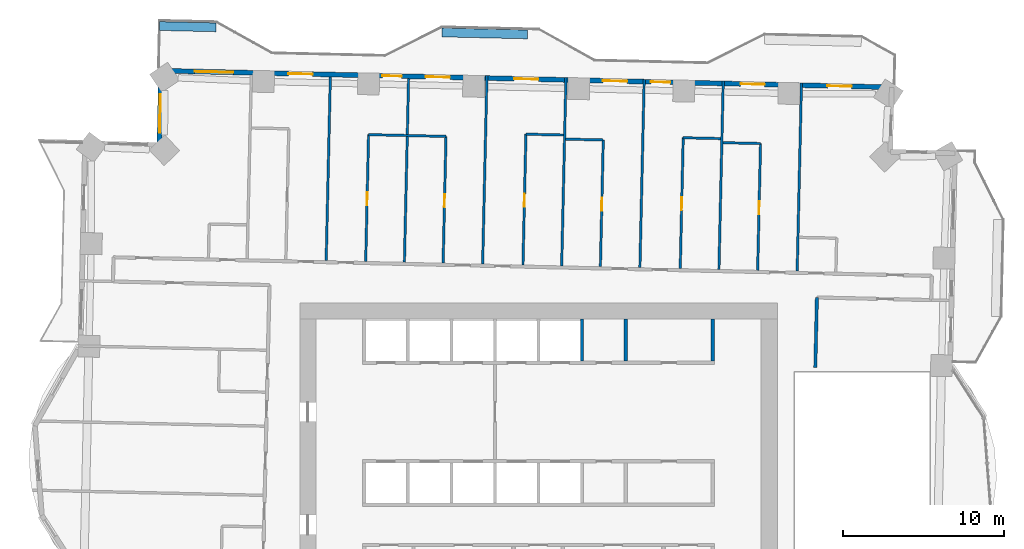
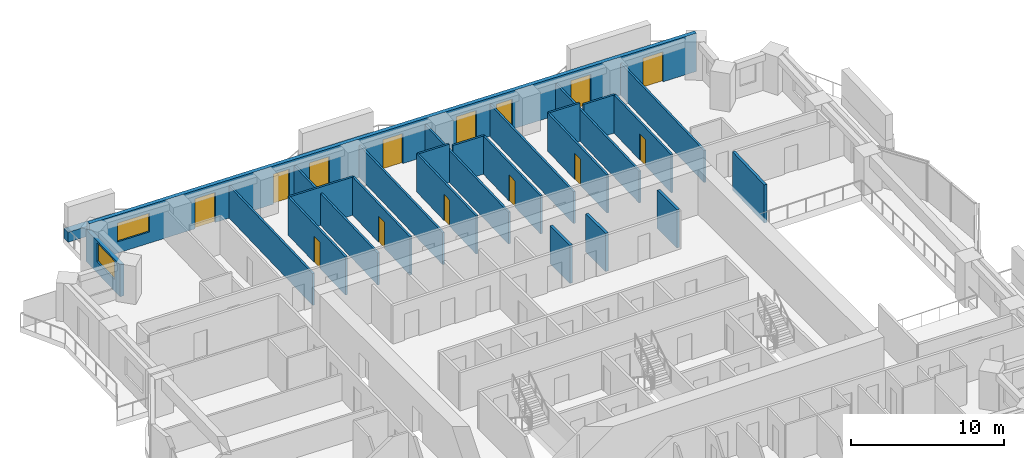
# One storey, part 11 of 16: 26 walls, 14 doors, 2 windows, 16 openings.
"""IFC4 building model written with IfcOpenShell, lengths in metres."""

from ifc_helpers import new_model, si_unit, direction, frame, frame_2d, origin, place, context, subcontext, project, spatial, rectangle, extrude, material, layer, layer_set, type_object, element, fill, save


model = new_model("IFC4")

# Units and contexts
model_context = context("Model", 3, precision=1e-05, world=origin(), true_north=direction((0.0, 1.0)))
body_context = subcontext(model_context, "Body", "Model", "MODEL_VIEW")
ifc_project = project(units=[si_unit("LENGTHUNIT", "METRE"), si_unit("AREAUNIT", "SQUARE_METRE"), si_unit("VOLUMEUNIT", "CUBIC_METRE"), si_unit("PLANEANGLEUNIT", "RADIAN"), si_unit("MASSUNIT", "GRAM", prefix="KILO")], contexts=[model_context])

# Site, building, storey
site_placement = place(None, origin())
site = spatial("IfcSite", under=ifc_project, at=site_placement, CompositionType="ELEMENT")
building_placement = place(site_placement, origin())
building = spatial("IfcBuilding", under=site, at=building_placement, Name="Mangrove Gate Tower", CompositionType="ELEMENT")
storey_placement = place(building_placement, frame((0.0, 0.0, 112.699951171875)))
storey = spatial("IfcBuildingStorey", under=building, at=storey_placement, Name="L28", CompositionType="ELEMENT", Elevation=112.699951171875)

# Walls
ifc_material_1 = material(Name="Concrete C32/40", Category="concrete")
ifc_layer_1 = layer(ifc_material_1, 0.199951171875)
ifc_layer_set_1 = layer_set([ifc_layer_1], Name="Core room wall 200 C32/40")
wall_type_1 = type_object("IfcWallType", Name="Core room wall 200 C32/40", PredefinedType="STANDARD", material=ifc_layer_set_1)
for number, where, z_axis, x_axis, name in (
    (1, (5.39990234375, 8.199951171875, 0.0), (0.0, 0.0, 1.0), (0.0, 1.0, 0.0), "WALL-L28-CORE-33"),
    (2, (10.800048828125, 8.199951171875, 0.0), (0.0, 0.0, 1.0), (0.0, 1.0, 0.0), "WALL-L28-CORE-34"),
):
    element("IfcWall", number, at=place(storey_placement, frame(where, z_axis=z_axis, x_axis=x_axis)), inside=storey, type_object=wall_type_1, Name=name, PredefinedType="STANDARD", context=body_context, shape_type="SweptSolid", body=[
        extrude(rectangle(XDim=2.60009765625, YDim=0.199951171875, at=frame_2d((1.300048828125, 0.0))), origin(), (0.0, 0.0, 1.0), 3.050048828125),
    ])
ifc_material_2 = material(Name="Concrete C70/85", Category="concrete")
ifc_layer_2 = layer(ifc_material_2, 0.199951171875)
ifc_layer_set_2 = layer_set([ifc_layer_2], Name="Core shaft wall 200 C70/85")
wall_type_2 = type_object("IfcWallType", Name="Core shaft wall 200 C70/85", PredefinedType="SHEAR", material=ifc_layer_set_2)
wall_1_placement = place(storey_placement, frame((2.699951171875, 8.199951171875, 0.0), z_axis=(0.0, 0.0, 1.0), x_axis=(0.0, 1.0, 0.0)))
element("IfcWall", 3, at=wall_1_placement, inside=storey, type_object=wall_type_2, Name="WALL-L28-CORE-32", PredefinedType="SHEAR", context=body_context, shape_type="SweptSolid", body=[
    extrude(rectangle(XDim=2.60009765625, YDim=0.199951171875, at=frame_2d((1.300048828125, 0.0))), origin(), (0.0, 0.0, 1.0), 3.050048828125),
])
ifc_material_3 = material(Name="Gypsum board on steel stud, EI 60", Category="steel")
ifc_layer_3 = layer(ifc_material_3, 0.199951171875)
ifc_layer_set_3 = layer_set([ifc_layer_3], Name="Corridor wall EI 60")
wall_type_3 = type_object("IfcWallType", Name="Corridor wall EI 60", PredefinedType="PARTITIONING", material=ifc_layer_set_3)
wall_2_placement = place(storey_placement, frame((17.155029296875, 7.81396484375, 0.0), z_axis=(0.0, 0.0, 1.0), x_axis=(0.022578158225, 0.999745080894, 0.0)))
element("IfcWall", 4, at=wall_2_placement, inside=storey, type_object=wall_type_3, Name="WALL-L28-043", PredefinedType="PARTITIONING", context=body_context, shape_type="SweptSolid", body=[
    extrude(rectangle(XDim=4.336181640625, YDim=0.199951171875, at=frame_2d((2.16796875, 0.0))), origin(), (0.0, 0.0, 1.0), 3.050048828125),
])

# Wall, openings, doors, window
ifc_material_4 = material(Name="Limestone", Category="masonry")
ifc_layer_4 = layer(ifc_material_4, 0.0400390625, Name="Limestone cladding")
ifc_material_5 = material(Name="Ventilated air gap")
ifc_layer_5 = layer(ifc_material_5, 0.0400390625, Name="Ventilated cavity")
ifc_material_6 = material(Name="Mineral wool insulation")
ifc_layer_6 = layer(ifc_material_6, 0.06005859375, Name="Insulation")
ifc_material_7 = material(Name="Breather membrane")
ifc_layer_7 = layer(ifc_material_7, 0.001953125, Name="Breather membrane")
ifc_material_8 = material(Name="Concrete C20/25 blockwork", Category="masonry")
ifc_layer_8 = layer(ifc_material_8, 0.14990234375, Name="Blockwork backing wall")
ifc_material_9 = material(Name="Gypsum plaster")
ifc_layer_9 = layer(ifc_material_9, 0.008056640625, Name="Internal plaster")
ifc_layer_set_4 = layer_set([ifc_layer_4, ifc_layer_5, ifc_layer_6, ifc_layer_7, ifc_layer_8, ifc_layer_9], Name="External wall 300 limestone cladding")
wall_type_4 = type_object("IfcWallType", Name="External wall 300 limestone cladding", PredefinedType="SOLIDWALL", material=ifc_layer_set_4)
wall_3_placement = place(storey_placement, frame((21.89404296875, 25.173095703125, 0.0), z_axis=(0.0, 0.0, 1.0), x_axis=(-0.999742661083, 0.022685052594, 0.0)))
wall_3 = element("IfcWall", 5, at=wall_3_placement, inside=storey, type_object=wall_type_4, Name="WALL-L28-N5", PredefinedType="SOLIDWALL", context=body_context, shape_type="SweptSolid", body=[
    extrude(rectangle(XDim=45.308837890625, YDim=0.300048828125, at=frame_2d((22.654296875, 0.0))), origin(), (0.0, 0.0, 1.0), 3.050048828125),
])
opening_1_placement = place(wall_3_placement, frame((2.4951171875, 0.0, 0.0)))
opening_1 = element("IfcOpeningElement", 6, at=opening_1_placement, cuts=wall_3, Name="Opening BD1", PredefinedType="OPENING", context=body_context, shape_type="SweptSolid", body=[
    extrude(rectangle(XDim=1.5, YDim=2.39990234375, at=frame_2d((0.75, 1.199951171875))), frame((0.0, 0.159912109375, 0.0), z_axis=(0.0, -1.0, 0.0), x_axis=(1.0, 0.0, 0.0)), (0.0, 0.0, 1.0), 0.320068359375),
])
opening_2_placement = place(wall_3_placement, frame((7.8740234375, 0.0, 0.0)))
opening_2 = element("IfcOpeningElement", 7, at=opening_2_placement, cuts=wall_3, Name="Opening BD1", PredefinedType="OPENING", context=body_context, shape_type="SweptSolid", body=[
    extrude(rectangle(XDim=1.5, YDim=2.39990234375, at=frame_2d((0.75, 1.199951171875))), frame((0.0, 0.159912109375, 0.0), z_axis=(0.0, -1.0, 0.0), x_axis=(1.0, 0.0, 0.0)), (0.0, 0.0, 1.0), 0.320068359375),
])
opening_3_placement = place(wall_3_placement, frame((13.73193359375, 0.0, 0.0)))
opening_3 = element("IfcOpeningElement", 8, at=opening_3_placement, cuts=wall_3, Name="Opening BD2", PredefinedType="OPENING", context=body_context, shape_type="SweptSolid", body=[
    extrude(rectangle(XDim=1.199951171875, YDim=2.39990234375, at=frame_2d((0.60009765625, 1.199951171875))), frame((0.0, 0.159912109375, 0.0), z_axis=(0.0, -1.0, 0.0), x_axis=(1.0, 0.0, 0.0)), (0.0, 0.0, 1.0), 0.320068359375),
])
opening_4_placement = place(wall_3_placement, frame((16.4150390625, 0.0, 0.0)))
opening_4 = element("IfcOpeningElement", 9, at=opening_4_placement, cuts=wall_3, Name="Opening BD1", PredefinedType="OPENING", context=body_context, shape_type="SweptSolid", body=[
    extrude(rectangle(XDim=1.5, YDim=2.39990234375, at=frame_2d((0.75, 1.199951171875))), frame((0.0, 0.159912109375, 0.0), z_axis=(0.0, -1.0, 0.0), x_axis=(1.0, 0.0, 0.0)), (0.0, 0.0, 1.0), 0.320068359375),
])
opening_5_placement = place(wall_3_placement, frame((21.907958984375, 0.0, 0.0)))
opening_5 = element("IfcOpeningElement", 10, at=opening_5_placement, cuts=wall_3, Name="Opening BD1", PredefinedType="OPENING", context=body_context, shape_type="SweptSolid", body=[
    extrude(rectangle(XDim=1.5, YDim=2.39990234375, at=frame_2d((0.75, 1.199951171875))), frame((0.0, 0.159912109375, 0.0), z_axis=(0.0, -1.0, 0.0), x_axis=(1.0, 0.0, 0.0)), (0.0, 0.0, 1.0), 0.320068359375),
])
opening_6_placement = place(wall_3_placement, frame((27.39697265625, 0.0, 0.0)))
opening_6 = element("IfcOpeningElement", 11, at=opening_6_placement, cuts=wall_3, Name="Opening BD1", PredefinedType="OPENING", context=body_context, shape_type="SweptSolid", body=[
    extrude(rectangle(XDim=1.5, YDim=2.39990234375, at=frame_2d((0.75, 1.199951171875))), frame((0.0, 0.159912109375, 0.0), z_axis=(0.0, -1.0, 0.0), x_axis=(1.0, 0.0, 0.0)), (0.0, 0.0, 1.0), 0.320068359375),
])
opening_7_placement = place(wall_3_placement, frame((30.3798828125, 0.0, 0.0)))
opening_7 = element("IfcOpeningElement", 12, at=opening_7_placement, cuts=wall_3, Name="Opening BD2", PredefinedType="OPENING", context=body_context, shape_type="SweptSolid", body=[
    extrude(rectangle(XDim=1.199951171875, YDim=2.39990234375, at=frame_2d((0.60009765625, 1.199951171875))), frame((0.0, 0.159912109375, 0.0), z_axis=(0.0, -1.0, 0.0), x_axis=(1.0, 0.0, 0.0)), (0.0, 0.0, 1.0), 0.320068359375),
])
opening_8_placement = place(wall_3_placement, frame((35.9130859375, 0.0, 0.0)))
opening_8 = element("IfcOpeningElement", 13, at=opening_8_placement, cuts=wall_3, Name="Opening BD1", PredefinedType="OPENING", context=body_context, shape_type="SweptSolid", body=[
    extrude(rectangle(XDim=1.5, YDim=2.39990234375, at=frame_2d((0.75, 1.199951171875))), frame((0.0, 0.159912109375, 0.0), z_axis=(0.0, -1.0, 0.0), x_axis=(1.0, 0.0, 0.0)), (0.0, 0.0, 1.0), 0.320068359375),
])
opening_9_placement = place(wall_3_placement, frame((40.818115234375, 0.0, 0.89990234375)))
opening_9 = element("IfcOpeningElement", 14, at=opening_9_placement, cuts=wall_3, Name="Opening W2", PredefinedType="OPENING", context=body_context, shape_type="SweptSolid", body=[
    extrude(rectangle(XDim=2.39990234375, YDim=1.5, at=frame_2d((1.199951171875, 0.75))), frame((0.0, 0.159912109375, 0.0), z_axis=(0.0, -1.0, 0.0), x_axis=(1.0, 0.0, 0.0)), (0.0, 0.0, 1.0), 0.320068359375),
])
ifc_material_10 = material(Name="Aluminium frame with laminated clear glass", Category="aluminium")
door_type_1 = type_object("IfcDoorType", Name="Balcony sliding door 1200x2400", OperationType="SLIDING_TO_LEFT", PredefinedType="DOOR", material=ifc_material_10)
door_1_placement = place(opening_3_placement, origin())
door_1 = element("IfcDoor", 15, at=door_1_placement, inside=storey, type_object=door_type_1, Name="DOOR-L28-N5-3", OperationType="SLIDING_TO_LEFT", OverallHeight=2.39990234375, OverallWidth=1.199951171875, PredefinedType="DOOR", context=body_context, shape_type="SweptSolid", body=[
    extrude(rectangle(XDim=1.199951171875, YDim=2.39990234375, at=frame_2d((0.60009765625, 1.199951171875))), frame((0.0, 0.02490234375, 0.0), z_axis=(0.0, -1.0, 0.0), x_axis=(1.0, 0.0, 0.0)), (0.0, 0.0, 1.0), 0.050048828125),
])
fill(opening_3, door_1)
door_2_placement = place(opening_7_placement, origin())
door_2 = element("IfcDoor", 16, at=door_2_placement, inside=storey, type_object=door_type_1, Name="DOOR-L28-N5-7", OperationType="SLIDING_TO_LEFT", OverallHeight=2.39990234375, OverallWidth=1.199951171875, PredefinedType="DOOR", context=body_context, shape_type="SweptSolid", body=[
    extrude(rectangle(XDim=1.199951171875, YDim=2.39990234375, at=frame_2d((0.60009765625, 1.199951171875))), frame((0.0, 0.02490234375, 0.0), z_axis=(0.0, -1.0, 0.0), x_axis=(1.0, 0.0, 0.0)), (0.0, 0.0, 1.0), 0.050048828125),
])
fill(opening_7, door_2)
ifc_material_11 = material(Name="Aluminium frame with laminated clear glass", Category="aluminium")
door_type_2 = type_object("IfcDoorType", Name="Balcony sliding door 1500x2400", OperationType="SLIDING_TO_LEFT", PredefinedType="DOOR", material=ifc_material_11)
door_3_placement = place(opening_1_placement, origin())
door_3 = element("IfcDoor", 17, at=door_3_placement, inside=storey, type_object=door_type_2, Name="DOOR-L28-N5-1", OperationType="SLIDING_TO_LEFT", OverallHeight=2.39990234375, OverallWidth=1.5, PredefinedType="DOOR", context=body_context, shape_type="SweptSolid", body=[
    extrude(rectangle(XDim=1.5, YDim=2.39990234375, at=frame_2d((0.75, 1.199951171875))), frame((0.0, 0.02490234375, 0.0), z_axis=(0.0, -1.0, 0.0), x_axis=(1.0, 0.0, 0.0)), (0.0, 0.0, 1.0), 0.050048828125),
])
fill(opening_1, door_3)
door_4_placement = place(opening_2_placement, origin())
door_4 = element("IfcDoor", 18, at=door_4_placement, inside=storey, type_object=door_type_2, Name="DOOR-L28-N5-2", OperationType="SLIDING_TO_LEFT", OverallHeight=2.39990234375, OverallWidth=1.5, PredefinedType="DOOR", context=body_context, shape_type="SweptSolid", body=[
    extrude(rectangle(XDim=1.5, YDim=2.39990234375, at=frame_2d((0.75, 1.199951171875))), frame((0.0, 0.02490234375, 0.0), z_axis=(0.0, -1.0, 0.0), x_axis=(1.0, 0.0, 0.0)), (0.0, 0.0, 1.0), 0.050048828125),
])
fill(opening_2, door_4)
door_5_placement = place(opening_4_placement, origin())
door_5 = element("IfcDoor", 19, at=door_5_placement, inside=storey, type_object=door_type_2, Name="DOOR-L28-N5-4", OperationType="SLIDING_TO_LEFT", OverallHeight=2.39990234375, OverallWidth=1.5, PredefinedType="DOOR", context=body_context, shape_type="SweptSolid", body=[
    extrude(rectangle(XDim=1.5, YDim=2.39990234375, at=frame_2d((0.75, 1.199951171875))), frame((0.0, 0.02490234375, 0.0), z_axis=(0.0, -1.0, 0.0), x_axis=(1.0, 0.0, 0.0)), (0.0, 0.0, 1.0), 0.050048828125),
])
fill(opening_4, door_5)
door_6_placement = place(opening_5_placement, origin())
door_6 = element("IfcDoor", 20, at=door_6_placement, inside=storey, type_object=door_type_2, Name="DOOR-L28-N5-5", OperationType="SLIDING_TO_LEFT", OverallHeight=2.39990234375, OverallWidth=1.5, PredefinedType="DOOR", context=body_context, shape_type="SweptSolid", body=[
    extrude(rectangle(XDim=1.5, YDim=2.39990234375, at=frame_2d((0.75, 1.199951171875))), frame((0.0, 0.02490234375, 0.0), z_axis=(0.0, -1.0, 0.0), x_axis=(1.0, 0.0, 0.0)), (0.0, 0.0, 1.0), 0.050048828125),
])
fill(opening_5, door_6)
door_7_placement = place(opening_6_placement, origin())
door_7 = element("IfcDoor", 21, at=door_7_placement, inside=storey, type_object=door_type_2, Name="DOOR-L28-N5-6", OperationType="SLIDING_TO_LEFT", OverallHeight=2.39990234375, OverallWidth=1.5, PredefinedType="DOOR", context=body_context, shape_type="SweptSolid", body=[
    extrude(rectangle(XDim=1.5, YDim=2.39990234375, at=frame_2d((0.75, 1.199951171875))), frame((0.0, 0.02490234375, 0.0), z_axis=(0.0, -1.0, 0.0), x_axis=(1.0, 0.0, 0.0)), (0.0, 0.0, 1.0), 0.050048828125),
])
fill(opening_6, door_7)
door_8_placement = place(opening_8_placement, origin())
door_8 = element("IfcDoor", 22, at=door_8_placement, inside=storey, type_object=door_type_2, Name="DOOR-L28-N5-8", OperationType="SLIDING_TO_LEFT", OverallHeight=2.39990234375, OverallWidth=1.5, PredefinedType="DOOR", context=body_context, shape_type="SweptSolid", body=[
    extrude(rectangle(XDim=1.5, YDim=2.39990234375, at=frame_2d((0.75, 1.199951171875))), frame((0.0, 0.02490234375, 0.0), z_axis=(0.0, -1.0, 0.0), x_axis=(1.0, 0.0, 0.0)), (0.0, 0.0, 1.0), 0.050048828125),
])
fill(opening_8, door_8)
ifc_material_12 = material(Name="Aluminium frame with double-glazed low-e glass", Category="aluminium")
window_type = type_object("IfcWindowType", Name="Corner room window 2400x1500", PartitioningType="DOUBLE_PANEL_VERTICAL", PredefinedType="WINDOW", material=ifc_material_12)
window_1_placement = place(opening_9_placement, origin())
window_1 = element("IfcWindow", 23, at=window_1_placement, inside=storey, type_object=window_type, Name="WIN-L28-N5-9", OverallHeight=1.5, OverallWidth=2.39990234375, PartitioningType="DOUBLE_PANEL_VERTICAL", PredefinedType="WINDOW", context=body_context, shape_type="SweptSolid", body=[
    extrude(rectangle(XDim=2.39990234375, YDim=1.5, at=frame_2d((1.199951171875, 0.75))), frame((0.0, 0.030029296875, 0.0), z_axis=(0.0, -1.0, 0.0), x_axis=(1.0, 0.0, 0.0)), (0.0, 0.0, 1.0), 0.06005859375),
])
fill(opening_9, window_1)

# Wall, opening, window
wall_4_placement = place(storey_placement, frame((-23.403076171875, 26.200927734375, 0.0), z_axis=(0.0, 0.0, 1.0), x_axis=(-0.022609285172, -0.999744377441, 0.0)))
wall_4 = element("IfcWall", 24, at=wall_4_placement, inside=storey, type_object=wall_type_4, Name="WALL-L28-W6", PredefinedType="SOLIDWALL", context=body_context, shape_type="SweptSolid", body=[
    extrude(rectangle(XDim=4.60009765625, YDim=0.300048828125, at=frame_2d((2.300048828125, 0.0))), origin(), (0.0, 0.0, 1.0), 2.550048828125),
])
opening_10_placement = place(wall_4_placement, frame((1.45703125, 0.0, 0.89990234375)))
opening_10 = element("IfcOpeningElement", 25, at=opening_10_placement, cuts=wall_4, Name="Opening W2", PredefinedType="OPENING", context=body_context, shape_type="SweptSolid", body=[
    extrude(rectangle(XDim=2.39990234375, YDim=1.5, at=frame_2d((1.199951171875, 0.75))), frame((0.0, 0.159912109375, 0.0), z_axis=(0.0, -1.0, 0.0), x_axis=(1.0, 0.0, 0.0)), (0.0, 0.0, 1.0), 0.320068359375),
])
window_2_placement = place(opening_10_placement, origin())
window_2 = element("IfcWindow", 26, at=window_2_placement, inside=storey, type_object=window_type, Name="WIN-L28-W6-1", OverallHeight=1.5, OverallWidth=2.39990234375, PartitioningType="DOUBLE_PANEL_VERTICAL", PredefinedType="WINDOW", context=body_context, shape_type="SweptSolid", body=[
    extrude(rectangle(XDim=2.39990234375, YDim=1.5, at=frame_2d((1.199951171875, 0.75))), frame((0.0, 0.030029296875, 0.0), z_axis=(0.0, -1.0, 0.0), x_axis=(1.0, 0.0, 0.0)), (0.0, 0.0, 1.0), 0.06005859375),
])
fill(opening_10, window_2)

# Wall
ifc_material_13 = material(Name="Gypsum board on steel stud, EI 60", Category="steel")
ifc_layer_10 = layer(ifc_material_13, 0.14990234375)
ifc_layer_set_5 = layer_set([ifc_layer_10], Name="Party wall 150 EI 60")
wall_type_5 = type_object("IfcWallType", Name="Party wall 150 EI 60", PredefinedType="PARTITIONING", material=ifc_layer_set_5)
wall_5_placement = place(storey_placement, frame((-13.1630859375, 14.43994140625, 0.0), z_axis=(0.0, 0.0, 1.0), x_axis=(0.022684355347, 0.999742676904, 0.0)))
element("IfcWall", 27, at=wall_5_placement, inside=storey, type_object=wall_type_5, Name="WALL-L28-055", PredefinedType="PARTITIONING", context=body_context, shape_type="SweptSolid", body=[
    extrude(rectangle(XDim=11.3759765625, YDim=0.14990234375, at=frame_2d((5.68798828125, 0.0))), origin(), (0.0, 0.0, 1.0), 2.550048828125),
])

# Wall, opening, door
wall_6_placement = place(storey_placement, frame((-10.712890625, 14.384033203125, 0.0), z_axis=(0.0, 0.0, 1.0), x_axis=(0.022643791768, 0.999743596476, 0.0)))
wall_6 = element("IfcWall", 28, at=wall_6_placement, inside=storey, type_object=wall_type_5, Name="WALL-L28-056", PredefinedType="PARTITIONING", context=body_context, shape_type="SweptSolid", body=[
    extrude(rectangle(XDim=7.85986328125, YDim=0.14990234375, at=frame_2d((3.929931640625, 0.0))), origin(), (0.0, 0.0, 1.0), 3.050048828125),
])
opening_11_placement = place(wall_6_placement, frame((3.47998046875, 0.0, 0.0)))
opening_11 = element("IfcOpeningElement", 29, at=opening_11_placement, cuts=wall_6, Name="Opening ED", PredefinedType="OPENING", context=body_context, shape_type="SweptSolid", body=[
    extrude(rectangle(XDim=0.800048828125, YDim=2.10009765625, at=frame_2d((0.39990234375, 1.050048828125))), frame((0.0, 0.0849609375, 0.0), z_axis=(0.0, -1.0, 0.0), x_axis=(1.0, 0.0, 0.0)), (0.0, 0.0, 1.0), 0.169921875),
])
ifc_material_14 = material(Name="Timber door leaf", Category="wood")
door_type_3 = type_object("IfcDoorType", Name="En-suite door 800", OperationType="SINGLE_SWING_LEFT", PredefinedType="DOOR", material=ifc_material_14)
door_9_placement = place(opening_11_placement, origin())
door_9 = element("IfcDoor", 30, at=door_9_placement, inside=storey, type_object=door_type_3, Name="DOOR-L28-ENS-c514", OperationType="SINGLE_SWING_RIGHT", OverallHeight=2.10009765625, OverallWidth=0.800048828125, PredefinedType="DOOR", context=body_context, shape_type="SweptSolid", body=[
    extrude(rectangle(XDim=0.800048828125, YDim=2.10009765625, at=frame_2d((0.39990234375, 1.050048828125))), frame((0.0, 0.02490234375, 0.0), z_axis=(0.0, -1.0, 0.0), x_axis=(1.0, 0.0, 0.0)), (0.0, 0.0, 1.0), 0.050048828125),
])
fill(opening_11, door_9)

# Wall
wall_7_placement = place(storey_placement, frame((-8.31396484375, 14.330078125, 0.0), z_axis=(0.0, 0.0, 1.0), x_axis=(0.022684842063, 0.99974266586, 0.0)))
element("IfcWall", 31, at=wall_7_placement, inside=storey, type_object=wall_type_5, Name="WALL-L28-057", PredefinedType="PARTITIONING", context=body_context, shape_type="SweptSolid", body=[
    extrude(rectangle(XDim=11.375732421875, YDim=0.14990234375, at=frame_2d((5.68798828125, 0.0))), origin(), (0.0, 0.0, 1.0), 2.550048828125),
])

# Wall, opening, door
wall_8_placement = place(storey_placement, frame((-5.9150390625, 14.27490234375, 0.0), z_axis=(0.0, 0.0, 1.0), x_axis=(0.022767266309, 0.999740792198, 0.0)))
wall_8 = element("IfcWall", 32, at=wall_8_placement, inside=storey, type_object=wall_type_5, Name="WALL-L28-058", PredefinedType="PARTITIONING", context=body_context, shape_type="SweptSolid", body=[
    extrude(rectangle(XDim=7.860107421875, YDim=0.14990234375, at=frame_2d((3.93017578125, 0.0))), origin(), (0.0, 0.0, 1.0), 3.050048828125),
])
opening_12_placement = place(wall_8_placement, frame((3.47998046875, 0.0, 0.0)))
opening_12 = element("IfcOpeningElement", 33, at=opening_12_placement, cuts=wall_8, Name="Opening ED", PredefinedType="OPENING", context=body_context, shape_type="SweptSolid", body=[
    extrude(rectangle(XDim=0.800048828125, YDim=2.10009765625, at=frame_2d((0.39990234375, 1.050048828125))), frame((0.0, 0.0849609375, 0.0), z_axis=(0.0, -1.0, 0.0), x_axis=(1.0, 0.0, 0.0)), (0.0, 0.0, 1.0), 0.169921875),
])
door_10_placement = place(opening_12_placement, origin())
door_10 = element("IfcDoor", 34, at=door_10_placement, inside=storey, type_object=door_type_3, Name="DOOR-L28-ENS-c513", OperationType="SINGLE_SWING_LEFT", OverallHeight=2.10009765625, OverallWidth=0.800048828125, PredefinedType="DOOR", context=body_context, shape_type="SweptSolid", body=[
    extrude(rectangle(XDim=0.800048828125, YDim=2.10009765625, at=frame_2d((0.39990234375, 1.050048828125))), frame((0.0, 0.02490234375, 0.0), z_axis=(0.0, -1.0, 0.0), x_axis=(1.0, 0.0, 0.0)), (0.0, 0.0, 1.0), 0.050048828125),
])
fill(opening_12, door_10)

# Wall
wall_9_placement = place(storey_placement, frame((-3.465087890625, 14.219970703125, 0.0), z_axis=(0.0, 0.0, 1.0), x_axis=(0.022707631257, 0.999742148498, 0.0)))
element("IfcWall", 35, at=wall_9_placement, inside=storey, type_object=wall_type_5, Name="WALL-L28-059", PredefinedType="PARTITIONING", context=body_context, shape_type="SweptSolid", body=[
    extrude(rectangle(XDim=11.676025390625, YDim=0.14990234375, at=frame_2d((5.837890625, 0.0))), origin(), (0.0, 0.0, 1.0), 2.550048828125),
])

# Wall, opening, door
wall_10_placement = place(storey_placement, frame((-0.966064453125, 14.1630859375, 0.0), z_axis=(0.0, 0.0, 1.0), x_axis=(0.022698155442, 0.999742363682, 0.0)))
wall_10 = element("IfcWall", 36, at=wall_10_placement, inside=storey, type_object=wall_type_5, Name="WALL-L28-060", PredefinedType="PARTITIONING", context=body_context, shape_type="SweptSolid", body=[
    extrude(rectangle(XDim=8.110107421875, YDim=0.14990234375, at=frame_2d((4.05517578125, 0.0))), origin(), (0.0, 0.0, 1.0), 3.050048828125),
])
opening_13_placement = place(wall_10_placement, frame((3.60498046875, 0.0, 0.0)))
opening_13 = element("IfcOpeningElement", 37, at=opening_13_placement, cuts=wall_10, Name="Opening ED", PredefinedType="OPENING", context=body_context, shape_type="SweptSolid", body=[
    extrude(rectangle(XDim=0.800048828125, YDim=2.10009765625, at=frame_2d((0.39990234375, 1.050048828125))), frame((0.0, 0.0849609375, 0.0), z_axis=(0.0, -1.0, 0.0), x_axis=(1.0, 0.0, 0.0)), (0.0, 0.0, 1.0), 0.169921875),
])
door_11_placement = place(opening_13_placement, origin())
door_11 = element("IfcDoor", 38, at=door_11_placement, inside=storey, type_object=door_type_3, Name="DOOR-L28-ENS-c412", OperationType="SINGLE_SWING_RIGHT", OverallHeight=2.10009765625, OverallWidth=0.800048828125, PredefinedType="DOOR", context=body_context, shape_type="SweptSolid", body=[
    extrude(rectangle(XDim=0.800048828125, YDim=2.10009765625, at=frame_2d((0.39990234375, 1.050048828125))), frame((0.0, 0.02490234375, 0.0), z_axis=(0.0, -1.0, 0.0), x_axis=(1.0, 0.0, 0.0)), (0.0, 0.0, 1.0), 0.050048828125),
])
fill(opening_13, door_11)

# Wall
wall_11_placement = place(storey_placement, frame((1.43310546875, 14.10791015625, 0.0), z_axis=(0.0, 0.0, 1.0), x_axis=(0.022686732602, 0.99974262296, 0.0)))
element("IfcWall", 39, at=wall_11_placement, inside=storey, type_object=wall_type_5, Name="WALL-L28-061", PredefinedType="PARTITIONING", context=body_context, shape_type="SweptSolid", body=[
    extrude(rectangle(XDim=11.676025390625, YDim=0.14990234375, at=frame_2d((5.837890625, 0.0))), origin(), (0.0, 0.0, 1.0), 2.550048828125),
])

# Wall, opening, door
wall_12_placement = place(storey_placement, frame((3.8330078125, 14.053955078125, 0.0), z_axis=(0.0, 0.0, 1.0), x_axis=(0.022643088621, 0.999743612402, 0.0)))
wall_12 = element("IfcWall", 40, at=wall_12_placement, inside=storey, type_object=wall_type_5, Name="WALL-L28-062", PredefinedType="PARTITIONING", context=body_context, shape_type="SweptSolid", body=[
    extrude(rectangle(XDim=7.860107421875, YDim=0.14990234375, at=frame_2d((3.93017578125, 0.0))), origin(), (0.0, 0.0, 1.0), 3.050048828125),
])
opening_14_placement = place(wall_12_placement, frame((3.47998046875, 0.0, 0.0)))
opening_14 = element("IfcOpeningElement", 41, at=opening_14_placement, cuts=wall_12, Name="Opening ED", PredefinedType="OPENING", context=body_context, shape_type="SweptSolid", body=[
    extrude(rectangle(XDim=0.800048828125, YDim=2.10009765625, at=frame_2d((0.39990234375, 1.050048828125))), frame((0.0, 0.0849609375, 0.0), z_axis=(0.0, -1.0, 0.0), x_axis=(1.0, 0.0, 0.0)), (0.0, 0.0, 1.0), 0.169921875),
])
door_12_placement = place(opening_14_placement, origin())
door_12 = element("IfcDoor", 42, at=door_12_placement, inside=storey, type_object=door_type_3, Name="DOOR-L28-ENS-c411", OperationType="SINGLE_SWING_LEFT", OverallHeight=2.10009765625, OverallWidth=0.800048828125, PredefinedType="DOOR", context=body_context, shape_type="SweptSolid", body=[
    extrude(rectangle(XDim=0.800048828125, YDim=2.10009765625, at=frame_2d((0.39990234375, 1.050048828125))), frame((0.0, 0.02490234375, 0.0), z_axis=(0.0, -1.0, 0.0), x_axis=(1.0, 0.0, 0.0)), (0.0, 0.0, 1.0), 0.050048828125),
])
fill(opening_14, door_12)

# Wall
wall_13_placement = place(storey_placement, frame((6.281982421875, 13.998046875, 0.0), z_axis=(0.0, 0.0, 1.0), x_axis=(0.022708105947, 0.999742137716, 0.0)))
element("IfcWall", 43, at=wall_13_placement, inside=storey, type_object=wall_type_5, Name="WALL-L28-063", PredefinedType="PARTITIONING", context=body_context, shape_type="SweptSolid", body=[
    extrude(rectangle(XDim=11.67578125, YDim=0.14990234375, at=frame_2d((5.837890625, 0.0))), origin(), (0.0, 0.0, 1.0), 2.550048828125),
])

# Wall, opening, door
wall_14_placement = place(storey_placement, frame((8.781982421875, 13.94189453125, 0.0), z_axis=(0.0, 0.0, 1.0), x_axis=(0.022697472341, 0.99974237919, 0.0)))
wall_14 = element("IfcWall", 44, at=wall_14_placement, inside=storey, type_object=wall_type_5, Name="WALL-L28-064", PredefinedType="PARTITIONING", context=body_context, shape_type="SweptSolid", body=[
    extrude(rectangle(XDim=8.1103515625, YDim=0.14990234375, at=frame_2d((4.05517578125, 0.0))), origin(), (0.0, 0.0, 1.0), 3.050048828125),
])
opening_15_placement = place(wall_14_placement, frame((3.60498046875, 0.0, 0.0)))
opening_15 = element("IfcOpeningElement", 45, at=opening_15_placement, cuts=wall_14, Name="Opening ED", PredefinedType="OPENING", context=body_context, shape_type="SweptSolid", body=[
    extrude(rectangle(XDim=0.800048828125, YDim=2.10009765625, at=frame_2d((0.39990234375, 1.050048828125))), frame((0.0, 0.0849609375, 0.0), z_axis=(0.0, -1.0, 0.0), x_axis=(1.0, 0.0, 0.0)), (0.0, 0.0, 1.0), 0.169921875),
])
door_13_placement = place(opening_15_placement, origin())
door_13 = element("IfcDoor", 46, at=door_13_placement, inside=storey, type_object=door_type_3, Name="DOOR-L28-ENS-c410", OperationType="SINGLE_SWING_RIGHT", OverallHeight=2.10009765625, OverallWidth=0.800048828125, PredefinedType="DOOR", context=body_context, shape_type="SweptSolid", body=[
    extrude(rectangle(XDim=0.800048828125, YDim=2.10009765625, at=frame_2d((0.39990234375, 1.050048828125))), frame((0.0, 0.02490234375, 0.0), z_axis=(0.0, -1.0, 0.0), x_axis=(1.0, 0.0, 0.0)), (0.0, 0.0, 1.0), 0.050048828125),
])
fill(opening_15, door_13)

# Wall
wall_15_placement = place(storey_placement, frame((11.180908203125, 13.886962890625, 0.0), z_axis=(0.0, 0.0, 1.0), x_axis=(0.022707631257, 0.999742148498, 0.0)))
element("IfcWall", 47, at=wall_15_placement, inside=storey, type_object=wall_type_5, Name="WALL-L28-065", PredefinedType="PARTITIONING", context=body_context, shape_type="SweptSolid", body=[
    extrude(rectangle(XDim=11.676025390625, YDim=0.14990234375, at=frame_2d((5.837890625, 0.0))), origin(), (0.0, 0.0, 1.0), 2.550048828125),
])

# Wall, opening, door
wall_16_placement = place(storey_placement, frame((13.580078125, 13.8330078125, 0.0), z_axis=(0.0, 0.0, 1.0), x_axis=(0.022767973308, 0.999740776097, 0.0)))
wall_16 = element("IfcWall", 48, at=wall_16_placement, inside=storey, type_object=wall_type_5, Name="WALL-L28-066", PredefinedType="PARTITIONING", context=body_context, shape_type="SweptSolid", body=[
    extrude(rectangle(XDim=7.85986328125, YDim=0.14990234375, at=frame_2d((3.929931640625, 0.0))), origin(), (0.0, 0.0, 1.0), 3.050048828125),
])
opening_16_placement = place(wall_16_placement, frame((3.47998046875, 0.0, 0.0)))
opening_16 = element("IfcOpeningElement", 49, at=opening_16_placement, cuts=wall_16, Name="Opening ED", PredefinedType="OPENING", context=body_context, shape_type="SweptSolid", body=[
    extrude(rectangle(XDim=0.800048828125, YDim=2.10009765625, at=frame_2d((0.39990234375, 1.050048828125))), frame((0.0, 0.0849609375, 0.0), z_axis=(0.0, -1.0, 0.0), x_axis=(1.0, 0.0, 0.0)), (0.0, 0.0, 1.0), 0.169921875),
])
door_14_placement = place(opening_16_placement, origin())
door_14 = element("IfcDoor", 50, at=door_14_placement, inside=storey, type_object=door_type_3, Name="DOOR-L28-ENS-c309", OperationType="SINGLE_SWING_LEFT", OverallHeight=2.10009765625, OverallWidth=0.800048828125, PredefinedType="DOOR", context=body_context, shape_type="SweptSolid", body=[
    extrude(rectangle(XDim=0.800048828125, YDim=2.10009765625, at=frame_2d((0.39990234375, 1.050048828125))), frame((0.0, 0.02490234375, 0.0), z_axis=(0.0, -1.0, 0.0), x_axis=(1.0, 0.0, 0.0)), (0.0, 0.0, 1.0), 0.050048828125),
])
fill(opening_16, door_14)

# Walls
wall_17_placement = place(storey_placement, frame((16.030029296875, 13.777099609375, 0.0), z_axis=(0.0, 0.0, 1.0), x_axis=(0.022687206857, 0.999742612198, 0.0)))
element("IfcWall", 51, at=wall_17_placement, inside=storey, type_object=wall_type_5, Name="WALL-L28-067", PredefinedType="PARTITIONING", context=body_context, shape_type="SweptSolid", body=[
    extrude(rectangle(XDim=11.67578125, YDim=0.14990234375, at=frame_2d((5.837890625, 0.0))), origin(), (0.0, 0.0, 1.0), 2.550048828125),
])
wall_18_placement = place(storey_placement, frame((-10.5390625, 22.238037109375, 0.0), z_axis=(0.0, 0.0, 1.0), x_axis=(0.99974154664, -0.022734113616, 0.0)))
element("IfcWall", 52, at=wall_18_placement, inside=storey, type_object=wall_type_5, Name="WALL-L28-071", PredefinedType="PARTITIONING", context=body_context, shape_type="SweptSolid", body=[
    extrude(rectangle(XDim=4.80029296875, YDim=0.14990234375, at=frame_2d((2.400146484375, 0.0))), origin(), (0.0, 0.0, 1.0), 3.050048828125),
])
wall_19_placement = place(storey_placement, frame((1.68310546875, 21.9609375, 0.0), z_axis=(0.0, 0.0, 1.0), x_axis=(0.999740260747, -0.02279059109, 0.0)))
element("IfcWall", 53, at=wall_19_placement, inside=storey, type_object=wall_type_5, Name="WALL-L28-072", PredefinedType="PARTITIONING", context=body_context, shape_type="SweptSolid", body=[
    extrude(rectangle(XDim=2.324462890625, YDim=0.14990234375, at=frame_2d((1.162109375, 0.0))), origin(), (0.0, 0.0, 1.0), 3.050048828125),
])
wall_20_placement = place(storey_placement, frame((11.429931640625, 21.739990234375, 0.0), z_axis=(0.0, 0.0, 1.0), x_axis=(0.999740478815, -0.022781023197, 0.0)))
element("IfcWall", 54, at=wall_20_placement, inside=storey, type_object=wall_type_5, Name="WALL-L28-073", PredefinedType="PARTITIONING", context=body_context, shape_type="SweptSolid", body=[
    extrude(rectangle(XDim=2.325439453125, YDim=0.14990234375, at=frame_2d((1.16259765625, 0.0))), origin(), (0.0, 0.0, 1.0), 3.050048828125),
])
wall_21_placement = place(storey_placement, frame((-0.785888671875, 22.26708984375, 0.0), z_axis=(0.0, 0.0, 1.0), x_axis=(0.999740260747, -0.02279059109, 0.0)))
element("IfcWall", 55, at=wall_21_placement, inside=storey, type_object=wall_type_5, Name="WALL-L28-075", PredefinedType="PARTITIONING", context=body_context, shape_type="SweptSolid", body=[
    extrude(rectangle(XDim=2.324462890625, YDim=0.14990234375, at=frame_2d((1.162109375, 0.0))), origin(), (0.0, 0.0, 1.0), 3.050048828125),
])
wall_22_placement = place(storey_placement, frame((8.9609375, 22.0458984375, 0.0), z_axis=(0.0, 0.0, 1.0), x_axis=(0.999740478815, -0.022781023197, 0.0)))
element("IfcWall", 56, at=wall_22_placement, inside=storey, type_object=wall_type_5, Name="WALL-L28-076", PredefinedType="PARTITIONING", context=body_context, shape_type="SweptSolid", body=[
    extrude(rectangle(XDim=2.325439453125, YDim=0.14990234375, at=frame_2d((1.16259765625, 0.0))), origin(), (0.0, 0.0, 1.0), 3.050048828125),
])
ifc_material_15 = material(Name="Concrete C32/40", Category="concrete")
ifc_layer_11 = layer(ifc_material_15, 0.199951171875, Name="Planter trough wall")
ifc_material_16 = material(Name="Bituminous waterproofing membrane")
ifc_layer_12 = layer(ifc_material_16, 0.0048828125, Name="Waterproofing")
ifc_material_17 = material(Name="Drainage board and gravel")
ifc_layer_13 = layer(ifc_material_17, 0.044921875, Name="Drainage layer")
ifc_material_18 = material(Name="Planting soil")
ifc_layer_14 = layer(ifc_material_18, 0.300048828125, Name="Growing medium")
ifc_layer_set_6 = layer_set([ifc_layer_11, ifc_layer_12, ifc_layer_13, ifc_layer_14], Name="Planter wall 550 C32/40")
wall_type_6 = type_object("IfcWallType", Name="Planter wall 550 C32/40", PredefinedType="USERDEFINED", material=ifc_layer_set_6)
wall_23_placement = place(storey_placement, frame((-23.489990234375, 28.968994140625, 0.0), z_axis=(0.0, 0.0, 1.0), x_axis=(0.999738950566, -0.022847991624, 0.0)))
element("IfcWall", 57, at=wall_23_placement, inside=storey, type_object=wall_type_6, Name="PLANTER L28 N1.1", ObjectType="PLANTER", PredefinedType="USERDEFINED", context=body_context, shape_type="SweptSolid", body=[
    extrude(rectangle(XDim=3.5048828125, YDim=0.550048828125, at=frame_2d((1.75244140625, 0.0))), origin(), (0.0, 0.0, 1.0), 0.800048828125),
])
wall_24_placement = place(storey_placement, frame((-5.989990234375, 28.572021484375, 0.0), z_axis=(0.0, 0.0, 1.0), x_axis=(0.999738998067, -0.022845913063, 0.0)))
element("IfcWall", 58, at=wall_24_placement, inside=storey, type_object=wall_type_6, Name="PLANTER L28 N1.2", ObjectType="PLANTER", PredefinedType="USERDEFINED", context=body_context, shape_type="SweptSolid", body=[
    extrude(rectangle(XDim=5.300537109375, YDim=0.550048828125, at=frame_2d((2.650390625, 0.0))), origin(), (0.0, 0.0, 1.0), 0.800048828125),
])

save(model, "model.ifc")
